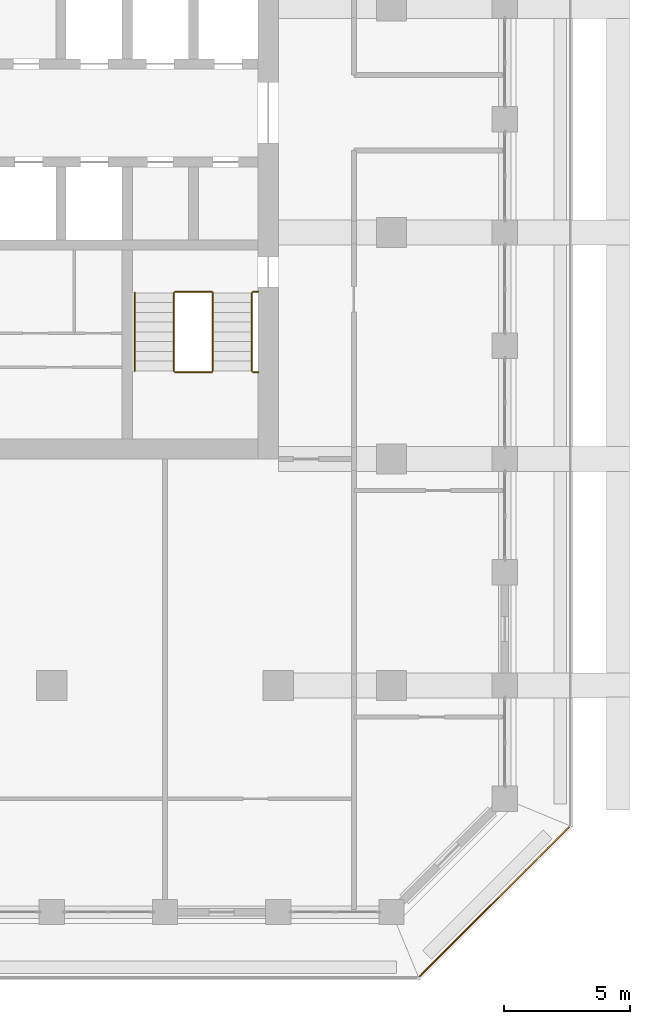
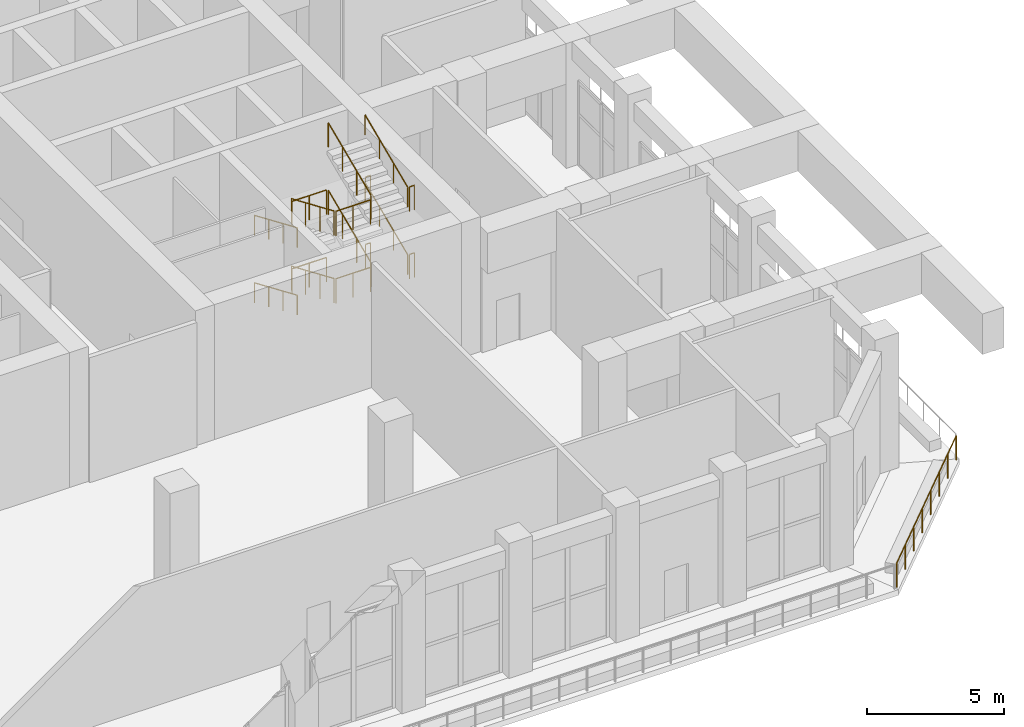
# One storey, part 20 of 25: 17 railings.
"""IFC4 building model written with IfcOpenShell, lengths in metres."""

from ifc_helpers import new_model, si_unit, direction, frame, origin, origin_2d, place, context, subcontext, project, spatial, circle, extrude, material, type_object, element, save


model = new_model("IFC4")

# Units and contexts
model_context = context("Model", 3, precision=1e-05, world=origin(), true_north=direction((0.0, 1.0)))
body_context = subcontext(model_context, "Body", "Model", "MODEL_VIEW")
ifc_project = project(units=[si_unit("LENGTHUNIT", "METRE"), si_unit("AREAUNIT", "SQUARE_METRE"), si_unit("VOLUMEUNIT", "CUBIC_METRE"), si_unit("PLANEANGLEUNIT", "RADIAN"), si_unit("MASSUNIT", "GRAM", prefix="KILO")], contexts=[model_context])

# Site, building, storey
site_placement = place(None, origin())
site = spatial("IfcSite", under=ifc_project, at=site_placement, CompositionType="ELEMENT")
building_placement = place(site_placement, origin())
building = spatial("IfcBuilding", under=site, at=building_placement, Name="Corbel Stack Research Tower", CompositionType="ELEMENT")
storey_placement = place(building_placement, frame((0.0, 0.0, 185.5)))
storey = spatial("IfcBuildingStorey", under=building, at=storey_placement, Name="L42", CompositionType="ELEMENT", Elevation=185.5)

# Railings
ifc_material_1 = material(Name="Steel S355", Category="steel")
railing_type_1 = type_object("IfcRailingType", Name="Stair guard 1100", PredefinedType="GUARDRAIL", material=ifc_material_1)
railing_1_placement = place(storey_placement, frame((13.85009765625, -2.39990234375, 0.166748046875)))
element("IfcRailing", 1, at=railing_1_placement, inside=storey, type_object=railing_type_1, Name="L42 ST-E1 stair guard 1", PredefinedType="GUARDRAIL", context=body_context, shape_type="SweptSolid", body=[
    extrude(circle(Radius=0.02392578125, at=origin_2d()), frame((0.0, 0.0, 1.076171875), z_axis=(0.0, -0.918826996994, 0.394660549834), x_axis=(1.0, 0.0, 0.0)), (0.0, 0.0, 1.0), 3.378173828125),
    extrude(circle(Radius=0.02099609375, at=origin_2d()), origin(), (0.0, 0.0, 1.0), 1.052001953125),
    extrude(circle(Radius=0.02099609375, at=origin_2d()), frame((0.0, -1.03466796875, 0.4443359375)), (0.0, 0.0, 1.0), 1.052001953125),
    extrude(circle(Radius=0.02099609375, at=origin_2d()), frame((0.0, -2.0693359375, 0.888916015625)), (0.0, 0.0, 1.0), 1.052001953125),
    extrude(circle(Radius=0.02099609375, at=origin_2d()), frame((0.0, -3.10400390625, 1.333251953125)), (0.0, 0.0, 1.0), 1.052001953125),
])
railing_2_placement = place(storey_placement, frame((13.89990234375, -5.553955078125, 1.5)))
element("IfcRailing", 2, at=railing_2_placement, inside=storey, type_object=railing_type_1, Name="L42 ST-E1 stair guard 2", PredefinedType="GUARDRAIL", context=body_context, shape_type="SweptSolid", body=[
    extrude(circle(Radius=0.02392578125, at=origin_2d()), frame((0.0, 0.0, 1.076171875), z_axis=(1.0, 0.0, 0.0), x_axis=(0.0, 1.0, 0.0)), (0.0, 0.0, 1.0), 1.4501953125),
    extrude(circle(Radius=0.02099609375, at=origin_2d()), origin(), (0.0, 0.0, 1.0), 1.052001953125),
    extrude(circle(Radius=0.02099609375, at=origin_2d()), frame((0.72509765625, 0.0, 0.0)), (0.0, 0.0, 1.0), 1.052001953125),
    extrude(circle(Radius=0.02099609375, at=origin_2d()), frame((1.4501953125, 0.0, 0.0)), (0.0, 0.0, 1.0), 1.052001953125),
])
railing_3_placement = place(storey_placement, frame((17.0, -5.553955078125, 1.5)))
element("IfcRailing", 3, at=railing_3_placement, inside=storey, type_object=railing_type_1, Name="L42 ST-E1 stair guard 3", PredefinedType="GUARDRAIL", context=body_context, shape_type="SweptSolid", body=[
    extrude(circle(Radius=0.02392578125, at=origin_2d()), frame((0.0, 0.0, 1.076171875), z_axis=(1.0, 0.0, 0.0), x_axis=(0.0, 1.0, 0.0)), (0.0, 0.0, 1.0), 0.199951171875),
    extrude(circle(Radius=0.02099609375, at=origin_2d()), origin(), (0.0, 0.0, 1.0), 1.052001953125),
    extrude(circle(Radius=0.02099609375, at=origin_2d()), frame((0.199951171875, 0.0, 0.0)), (0.0, 0.0, 1.0), 1.052001953125),
])
railing_4_placement = place(storey_placement, frame((15.39990234375, -5.50390625, 1.666748046875)))
element("IfcRailing", 4, at=railing_4_placement, inside=storey, type_object=railing_type_1, Name="L42 ST-E1 stair guard 4", PredefinedType="GUARDRAIL", context=body_context, shape_type="SweptSolid", body=[
    extrude(circle(Radius=0.02392578125, at=origin_2d()), frame((0.0, 0.0, 1.076171875), z_axis=(0.0, 0.918826996994, 0.394660549834), x_axis=(-1.0, 0.0, 0.0)), (0.0, 0.0, 1.0), 3.378173828125),
    extrude(circle(Radius=0.02099609375, at=origin_2d()), origin(), (0.0, 0.0, 1.0), 1.052001953125),
    extrude(circle(Radius=0.02099609375, at=origin_2d()), frame((0.0, 1.03466796875, 0.4443359375)), (0.0, 0.0, 1.0), 1.052001953125),
    extrude(circle(Radius=0.02099609375, at=origin_2d()), frame((0.0, 2.0693359375, 0.888916015625)), (0.0, 0.0, 1.0), 1.052001953125),
    extrude(circle(Radius=0.02099609375, at=origin_2d()), frame((0.0, 3.10400390625, 1.333251953125)), (0.0, 0.0, 1.0), 1.052001953125),
])
railing_5_placement = place(storey_placement, frame((13.89990234375, -2.35009765625, 3.0)))
element("IfcRailing", 5, at=railing_5_placement, inside=storey, type_object=railing_type_1, Name="L42 ST-E1 stair guard 5", PredefinedType="GUARDRAIL", context=body_context, shape_type="SweptSolid", body=[
    extrude(circle(Radius=0.02392578125, at=origin_2d()), frame((0.0, 0.0, 1.076171875), z_axis=(1.0, 0.0, 0.0), x_axis=(0.0, 1.0, 0.0)), (0.0, 0.0, 1.0), 1.4501953125),
    extrude(circle(Radius=0.02099609375, at=origin_2d()), origin(), (0.0, 0.0, 1.0), 1.052001953125),
    extrude(circle(Radius=0.02099609375, at=origin_2d()), frame((0.72509765625, 0.0, 0.0)), (0.0, 0.0, 1.0), 1.052001953125),
    extrude(circle(Radius=0.02099609375, at=origin_2d()), frame((1.4501953125, 0.0, 0.0)), (0.0, 0.0, 1.0), 1.052001953125),
])
railing_6_placement = place(storey_placement, frame((17.0, -2.35009765625, 3.0)))
element("IfcRailing", 6, at=railing_6_placement, inside=storey, type_object=railing_type_1, Name="L42 ST-E1 stair guard 6", PredefinedType="GUARDRAIL", context=body_context, shape_type="SweptSolid", body=[
    extrude(circle(Radius=0.02392578125, at=origin_2d()), frame((0.0, 0.0, 1.076171875), z_axis=(1.0, 0.0, 0.0), x_axis=(0.0, 1.0, 0.0)), (0.0, 0.0, 1.0), 0.199951171875),
    extrude(circle(Radius=0.02099609375, at=origin_2d()), origin(), (0.0, 0.0, 1.0), 1.052001953125),
    extrude(circle(Radius=0.02099609375, at=origin_2d()), frame((0.199951171875, 0.0, 0.0)), (0.0, 0.0, 1.0), 1.052001953125),
])
railing_7_placement = place(storey_placement, frame((13.85009765625, -2.39990234375, 3.166748046875)))
element("IfcRailing", 7, at=railing_7_placement, inside=storey, type_object=railing_type_1, Name="L42 ST-E1 stair guard 7", PredefinedType="GUARDRAIL", context=body_context, shape_type="SweptSolid", body=[
    extrude(circle(Radius=0.02392578125, at=origin_2d()), frame((0.0, 0.0, 1.076171875), z_axis=(0.0, -0.918826996994, 0.394660549834), x_axis=(1.0, 0.0, 0.0)), (0.0, 0.0, 1.0), 3.378173828125),
    extrude(circle(Radius=0.02099609375, at=origin_2d()), origin(), (0.0, 0.0, 1.0), 1.052001953125),
    extrude(circle(Radius=0.02099609375, at=origin_2d()), frame((0.0, -1.03466796875, 0.4443359375)), (0.0, 0.0, 1.0), 1.052001953125),
    extrude(circle(Radius=0.02099609375, at=origin_2d()), frame((0.0, -2.0693359375, 0.888916015625)), (0.0, 0.0, 1.0), 1.052001953125),
    extrude(circle(Radius=0.02099609375, at=origin_2d()), frame((0.0, -3.10400390625, 1.333251953125)), (0.0, 0.0, 1.0), 1.052001953125),
])
railing_8_placement = place(storey_placement, frame((13.89990234375, -5.553955078125, 4.5)))
element("IfcRailing", 8, at=railing_8_placement, inside=storey, type_object=railing_type_1, Name="L42 ST-E1 stair guard 8", PredefinedType="GUARDRAIL", context=body_context, shape_type="SweptSolid", body=[
    extrude(circle(Radius=0.02392578125, at=origin_2d()), frame((0.0, 0.0, 1.076171875), z_axis=(1.0, 0.0, 0.0), x_axis=(0.0, 1.0, 0.0)), (0.0, 0.0, 1.0), 1.4501953125),
    extrude(circle(Radius=0.02099609375, at=origin_2d()), origin(), (0.0, 0.0, 1.0), 1.052001953125),
    extrude(circle(Radius=0.02099609375, at=origin_2d()), frame((0.72509765625, 0.0, 0.0)), (0.0, 0.0, 1.0), 1.052001953125),
    extrude(circle(Radius=0.02099609375, at=origin_2d()), frame((1.4501953125, 0.0, 0.0)), (0.0, 0.0, 1.0), 1.052001953125),
])
railing_9_placement = place(storey_placement, frame((17.0, -5.553955078125, 4.5)))
element("IfcRailing", 9, at=railing_9_placement, inside=storey, type_object=railing_type_1, Name="L42 ST-E1 stair guard 9", PredefinedType="GUARDRAIL", context=body_context, shape_type="SweptSolid", body=[
    extrude(circle(Radius=0.02392578125, at=origin_2d()), frame((0.0, 0.0, 1.076171875), z_axis=(1.0, 0.0, 0.0), x_axis=(0.0, 1.0, 0.0)), (0.0, 0.0, 1.0), 0.199951171875),
    extrude(circle(Radius=0.02099609375, at=origin_2d()), origin(), (0.0, 0.0, 1.0), 1.052001953125),
    extrude(circle(Radius=0.02099609375, at=origin_2d()), frame((0.199951171875, 0.0, 0.0)), (0.0, 0.0, 1.0), 1.052001953125),
])
railing_10_placement = place(storey_placement, frame((15.39990234375, -5.50390625, 4.666748046875)))
element("IfcRailing", 10, at=railing_10_placement, inside=storey, type_object=railing_type_1, Name="L42 ST-E1 stair guard 10", PredefinedType="GUARDRAIL", context=body_context, shape_type="SweptSolid", body=[
    extrude(circle(Radius=0.02392578125, at=origin_2d()), frame((0.0, 0.0, 1.076171875), z_axis=(0.0, 0.918826996994, 0.394660549834), x_axis=(-1.0, 0.0, 0.0)), (0.0, 0.0, 1.0), 3.378173828125),
    extrude(circle(Radius=0.02099609375, at=origin_2d()), origin(), (0.0, 0.0, 1.0), 1.052001953125),
    extrude(circle(Radius=0.02099609375, at=origin_2d()), frame((0.0, 1.03466796875, 0.4443359375)), (0.0, 0.0, 1.0), 1.052001953125),
    extrude(circle(Radius=0.02099609375, at=origin_2d()), frame((0.0, 2.0693359375, 0.888916015625)), (0.0, 0.0, 1.0), 1.052001953125),
    extrude(circle(Radius=0.02099609375, at=origin_2d()), frame((0.0, 3.10400390625, 1.333251953125)), (0.0, 0.0, 1.0), 1.052001953125),
])
railing_11_placement = place(storey_placement, frame((13.89990234375, -2.35009765625, 0.0)))
element("IfcRailing", 11, at=railing_11_placement, inside=storey, type_object=railing_type_1, Name="L42 ST-E1 stair guard 11", PredefinedType="GUARDRAIL", context=body_context, shape_type="SweptSolid", body=[
    extrude(circle(Radius=0.02392578125, at=origin_2d()), frame((0.0, 0.0, 1.076171875), z_axis=(1.0, 0.0, 0.0), x_axis=(0.0, 1.0, 0.0)), (0.0, 0.0, 1.0), 1.4501953125),
    extrude(circle(Radius=0.02099609375, at=origin_2d()), origin(), (0.0, 0.0, 1.0), 1.052001953125),
    extrude(circle(Radius=0.02099609375, at=origin_2d()), frame((0.72509765625, 0.0, 0.0)), (0.0, 0.0, 1.0), 1.052001953125),
    extrude(circle(Radius=0.02099609375, at=origin_2d()), frame((1.4501953125, 0.0, 0.0)), (0.0, 0.0, 1.0), 1.052001953125),
])
railing_12_placement = place(storey_placement, frame((17.0, -2.35009765625, 0.0)))
element("IfcRailing", 12, at=railing_12_placement, inside=storey, type_object=railing_type_1, Name="L42 ST-E1 stair guard 12", PredefinedType="GUARDRAIL", context=body_context, shape_type="SweptSolid", body=[
    extrude(circle(Radius=0.02392578125, at=origin_2d()), frame((0.0, 0.0, 1.076171875), z_axis=(1.0, 0.0, 0.0), x_axis=(0.0, 1.0, 0.0)), (0.0, 0.0, 1.0), 0.199951171875),
    extrude(circle(Radius=0.02099609375, at=origin_2d()), origin(), (0.0, 0.0, 1.0), 1.052001953125),
    extrude(circle(Radius=0.02099609375, at=origin_2d()), frame((0.199951171875, 0.0, 0.0)), (0.0, 0.0, 1.0), 1.052001953125),
])
ifc_material_2 = material(Name="Steel S355", Category="steel")
railing_type_2 = type_object("IfcRailingType", Name="Stair handrail 900", PredefinedType="HANDRAIL", material=ifc_material_2)
railing_13_placement = place(storey_placement, frame((12.300048828125, -2.39990234375, 0.166748046875)))
element("IfcRailing", 13, at=railing_13_placement, inside=storey, type_object=railing_type_2, Name="L42 ST-E1 stair handrail 1", PredefinedType="HANDRAIL", context=body_context, shape_type="SweptSolid", body=[
    extrude(circle(Radius=0.02392578125, at=origin_2d()), frame((0.0, 0.0, 0.8759765625), z_axis=(0.0, -0.918826996994, 0.394660549834), x_axis=(1.0, 0.0, 0.0)), (0.0, 0.0, 1.0), 3.378173828125),
    extrude(circle(Radius=0.02099609375, at=origin_2d()), origin(), (0.0, 0.0, 1.0), 0.851806640625),
    extrude(circle(Radius=0.02099609375, at=origin_2d()), frame((0.0, -1.03466796875, 0.4443359375)), (0.0, 0.0, 1.0), 0.851806640625),
    extrude(circle(Radius=0.02099609375, at=origin_2d()), frame((0.0, -2.0693359375, 0.888916015625)), (0.0, 0.0, 1.0), 0.851806640625),
    extrude(circle(Radius=0.02099609375, at=origin_2d()), frame((0.0, -3.10400390625, 1.333251953125)), (0.0, 0.0, 1.0), 0.851806640625),
])
railing_14_placement = place(storey_placement, frame((16.949951171875, -5.50390625, 1.666748046875)))
element("IfcRailing", 14, at=railing_14_placement, inside=storey, type_object=railing_type_2, Name="L42 ST-E1 stair handrail 2", PredefinedType="HANDRAIL", context=body_context, shape_type="SweptSolid", body=[
    extrude(circle(Radius=0.02392578125, at=origin_2d()), frame((0.0, 0.0, 0.8759765625), z_axis=(0.0, 0.918826996994, 0.394660549834), x_axis=(-1.0, 0.0, 0.0)), (0.0, 0.0, 1.0), 3.378173828125),
    extrude(circle(Radius=0.02099609375, at=origin_2d()), origin(), (0.0, 0.0, 1.0), 0.851806640625),
    extrude(circle(Radius=0.02099609375, at=origin_2d()), frame((0.0, 1.03466796875, 0.4443359375)), (0.0, 0.0, 1.0), 0.851806640625),
    extrude(circle(Radius=0.02099609375, at=origin_2d()), frame((0.0, 2.0693359375, 0.888916015625)), (0.0, 0.0, 1.0), 0.851806640625),
    extrude(circle(Radius=0.02099609375, at=origin_2d()), frame((0.0, 3.10400390625, 1.333251953125)), (0.0, 0.0, 1.0), 0.851806640625),
])
railing_15_placement = place(storey_placement, frame((12.300048828125, -2.39990234375, 3.166748046875)))
element("IfcRailing", 15, at=railing_15_placement, inside=storey, type_object=railing_type_2, Name="L42 ST-E1 stair handrail 3", PredefinedType="HANDRAIL", context=body_context, shape_type="SweptSolid", body=[
    extrude(circle(Radius=0.02392578125, at=origin_2d()), frame((0.0, 0.0, 0.8759765625), z_axis=(0.0, -0.918826996994, 0.394660549834), x_axis=(1.0, 0.0, 0.0)), (0.0, 0.0, 1.0), 3.378173828125),
    extrude(circle(Radius=0.02099609375, at=origin_2d()), origin(), (0.0, 0.0, 1.0), 0.851806640625),
    extrude(circle(Radius=0.02099609375, at=origin_2d()), frame((0.0, -1.03466796875, 0.4443359375)), (0.0, 0.0, 1.0), 0.851806640625),
    extrude(circle(Radius=0.02099609375, at=origin_2d()), frame((0.0, -2.0693359375, 0.888916015625)), (0.0, 0.0, 1.0), 0.851806640625),
    extrude(circle(Radius=0.02099609375, at=origin_2d()), frame((0.0, -3.10400390625, 1.333251953125)), (0.0, 0.0, 1.0), 0.851806640625),
])
railing_16_placement = place(storey_placement, frame((16.949951171875, -5.50390625, 4.666748046875)))
element("IfcRailing", 16, at=railing_16_placement, inside=storey, type_object=railing_type_2, Name="L42 ST-E1 stair handrail 4", PredefinedType="HANDRAIL", context=body_context, shape_type="SweptSolid", body=[
    extrude(circle(Radius=0.02392578125, at=origin_2d()), frame((0.0, 0.0, 0.8759765625), z_axis=(0.0, 0.918826996994, 0.394660549834), x_axis=(-1.0, 0.0, 0.0)), (0.0, 0.0, 1.0), 3.378173828125),
    extrude(circle(Radius=0.02099609375, at=origin_2d()), origin(), (0.0, 0.0, 1.0), 0.851806640625),
    extrude(circle(Radius=0.02099609375, at=origin_2d()), frame((0.0, 1.03466796875, 0.4443359375)), (0.0, 0.0, 1.0), 0.851806640625),
    extrude(circle(Radius=0.02099609375, at=origin_2d()), frame((0.0, 2.0693359375, 0.888916015625)), (0.0, 0.0, 1.0), 0.851806640625),
    extrude(circle(Radius=0.02099609375, at=origin_2d()), frame((0.0, 3.10400390625, 1.333251953125)), (0.0, 0.0, 1.0), 0.851806640625),
])
ifc_material_3 = material(Name="Powder-coated steel guard", Category="steel")
railing_type_3 = type_object("IfcRailingType", Name="Steel and glass guard 1100", PredefinedType="GUARDRAIL", material=ifc_material_3)
railing_17_placement = place(storey_placement, frame((23.627685546875, -29.54931640625, 0.0)))
element("IfcRailing", 17, at=railing_17_placement, inside=storey, type_object=railing_type_3, Name="Loggia guard L42 SE", PredefinedType="GUARDRAIL", context=body_context, shape_type="SweptSolid", body=[
    extrude(circle(Radius=0.02392578125, at=origin_2d()), frame((0.0, 0.0, 1.076171875), z_axis=(0.707106781187, 0.707106781187, 0.0), x_axis=(-0.707106781187, 0.707106781187, 0.0)), (0.0, 0.0, 1.0), 8.37451171875),
    extrude(circle(Radius=0.02099609375, at=origin_2d()), origin(), (0.0, 0.0, 1.0), 1.052001953125),
    extrude(circle(Radius=0.02099609375, at=origin_2d()), frame((0.845947265625, 0.845947265625, 0.0)), (0.0, 0.0, 1.0), 1.052001953125),
    extrude(circle(Radius=0.02099609375, at=origin_2d()), frame((1.69189453125, 1.69189453125, 0.0)), (0.0, 0.0, 1.0), 1.052001953125),
    extrude(circle(Radius=0.02099609375, at=origin_2d()), frame((2.537841796875, 2.537841796875, 0.0)), (0.0, 0.0, 1.0), 1.052001953125),
    extrude(circle(Radius=0.02099609375, at=origin_2d()), frame((3.3837890625, 3.3837890625, 0.0)), (0.0, 0.0, 1.0), 1.052001953125),
    extrude(circle(Radius=0.02099609375, at=origin_2d()), frame((4.229736328125, 4.229736328125, 0.0)), (0.0, 0.0, 1.0), 1.052001953125),
    extrude(circle(Radius=0.02099609375, at=origin_2d()), frame((5.07568359375, 5.07568359375, 0.0)), (0.0, 0.0, 1.0), 1.052001953125),
    extrude(circle(Radius=0.02099609375, at=origin_2d()), frame((5.921630859375, 5.921630859375, 0.0)), (0.0, 0.0, 1.0), 1.052001953125),
])

save(model, "model.ifc")
